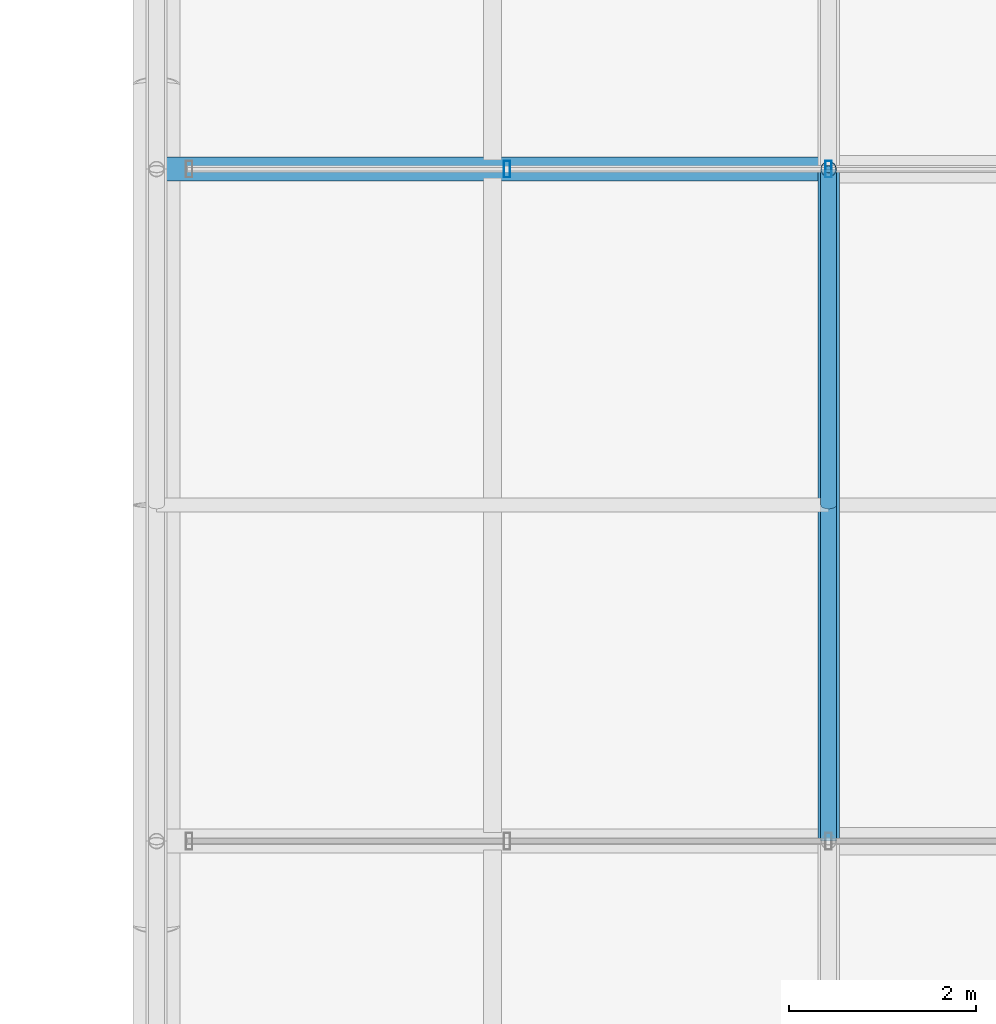
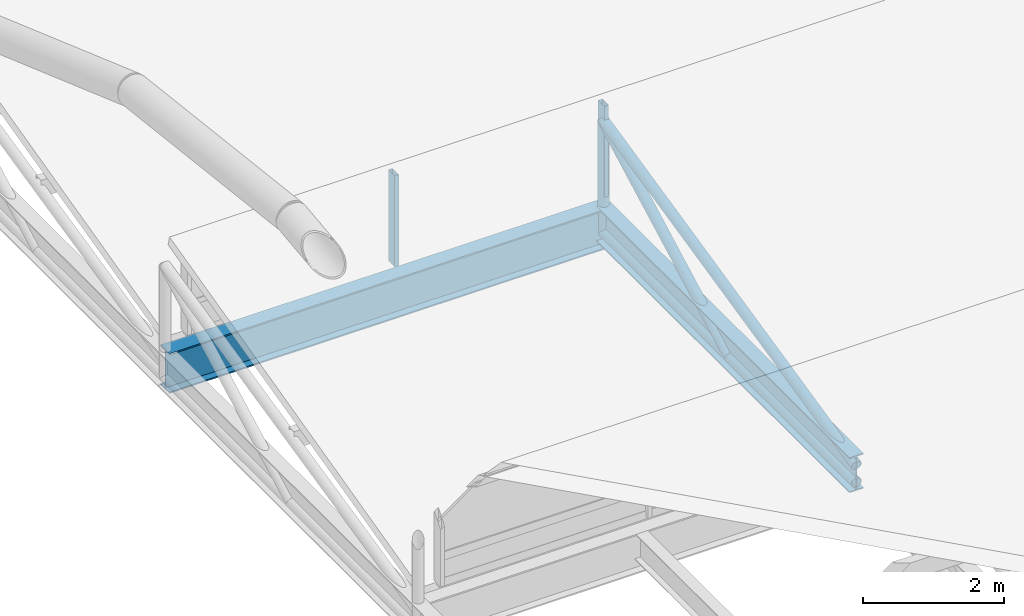
# One storey, part 69 of 144: 6 members, 2 beams, 1 element without a shape of its own.
"""IFC4 building model written with IfcOpenShell, lengths in metres."""

import ifcopenshell
import ifcopenshell.guid

model = None  # the IFC model being written
_history = None  # IfcOwnerHistory: only IFC2X3 demands one
_inside = {}  # id of a spatial element -> (the spatial element, [elements in it])
_under = {}  # id of a project, library or spatial element -> (it, [spatial elements below it])
_declared = {}  # id of a project -> (the project, [libraries it declares])
_typed = {}  # id of a type object -> (the type object, [elements of that type])
_made_of = {}  # id of a material, layer set ... -> (it, [elements and type objects made of it])


def new_model(schema):
    """Start an empty IFC model of exactly this schema.

    Asked for "IFC4X3", IfcOpenShell would pick the latest addendum, in which some entities
    have other attributes; the version numbers below select the first issue.
    IFC2X3 requires an IfcOwnerHistory on every rooted entity: one is made here for all.
    """
    global model, _history
    if schema == "IFC4X3":
        model = ifcopenshell.file(schema_version=(4, 3, 0, 0))
    else:
        model = ifcopenshell.file(schema=schema)
    _inside.clear()
    _under.clear()
    _declared.clear()
    _typed.clear()
    _made_of.clear()
    _history = None
    if model.schema == "IFC2X3":
        org = make("IfcOrganization", Name="unknown")
        user = make(
            "IfcPersonAndOrganization",
            ThePerson=make("IfcPerson", FamilyName="unknown"),
            TheOrganization=org,
        )
        app = make(
            "IfcApplication",
            ApplicationDeveloper=org,
            Version="unknown",
            ApplicationFullName="unknown",
            ApplicationIdentifier="unknown",
        )
        _history = make(
            "IfcOwnerHistory",
            OwningUser=user,
            OwningApplication=app,
            ChangeAction="ADDED",
            CreationDate=0,
        )
    return model


def make(cls, **values):
    """One entity of the class cls with the attributes given. An attribute that is None is left unset."""
    return model.create_entity(
        cls, **{name: value for name, value in values.items() if value is not None}
    )


def rooted(cls, **values):
    """An entity with a GlobalId (a new one), such as an element, a storey or a relation."""
    return make(cls, GlobalId=ifcopenshell.guid.new(), OwnerHistory=_history, **values)


def si_unit(unit_type, name, prefix=None):
    """IfcSIUnit, for example si_unit("LENGTHUNIT", "METRE", prefix="MILLI")."""
    return make("IfcSIUnit", UnitType=unit_type, Prefix=prefix, Name=name)


def assignment(units):
    """IfcUnitAssignment: the units of a project."""
    return None if units is None else make("IfcUnitAssignment", Units=units)


def point(xyz):
    """IfcCartesianPoint."""
    return None if xyz is None else make("IfcCartesianPoint", Coordinates=xyz)


def direction(xyz):
    """IfcDirection."""
    return None if xyz is None else make("IfcDirection", DirectionRatios=xyz)


def frame(location, z_axis=None, x_axis=None):
    """IfcAxis2Placement3D, a coordinate frame: its origin and axes. An axis left out is left unset."""
    return make(
        "IfcAxis2Placement3D",
        Location=point(location),
        Axis=direction(z_axis),
        RefDirection=direction(x_axis),
    )


def frame_2d(location, x_axis=None):
    """IfcAxis2Placement2D, a coordinate frame in the plane: its origin and x axis."""
    return make(
        "IfcAxis2Placement2D", Location=point(location), RefDirection=direction(x_axis)
    )


def origin():
    """The frame at (0, 0, 0) with its axes left unset."""
    return frame((0.0, 0.0, 0.0))


def origin_2d():
    """The frame at (0, 0) in the plane with its x axis left unset."""
    return frame_2d((0.0, 0.0))


def place(relative_to, where):
    """IfcLocalPlacement: puts the frame where relative to a parent placement (None: the world)."""
    return make(
        "IfcLocalPlacement", PlacementRelTo=relative_to, RelativePlacement=where
    )


def context(
    kind, dimensions, precision=None, world=None, true_north=None, identifier=None
):
    """IfcGeometricRepresentationContext, for example the 3D "Model" context."""
    return make(
        "IfcGeometricRepresentationContext",
        ContextIdentifier=identifier,
        ContextType=kind,
        CoordinateSpaceDimension=dimensions,
        Precision=precision,
        WorldCoordinateSystem=world,
        TrueNorth=true_north,
    )


def subcontext(parent, identifier, kind, view, scale=None):
    """IfcGeometricRepresentationSubContext, for example "Body" below "Model"."""
    return make(
        "IfcGeometricRepresentationSubContext",
        ContextIdentifier=identifier,
        ContextType=kind,
        ParentContext=parent,
        TargetScale=scale,
        TargetView=view,
    )


def project(units=None, contexts=None):
    """IfcProject with its units and contexts."""
    return rooted(
        "IfcProject",
        Name="project",
        RepresentationContexts=contexts,
        UnitsInContext=assignment(units),
    )


def spatial(cls, under=None, at=None, **own):
    """A site, building, storey or space (cls), placed at a placement, below another one or the project."""
    s = rooted(cls, ObjectPlacement=at, **own)
    if under is not None:
        _under.setdefault(under.id(), (under, []))[1].append(s)
    return s


def profile(cls, at=None, kind="AREA", **sizes):
    """A parametric profile (cls). Its sizes go by their IFC names, for example OverallWidth=200.0."""
    return make(cls, ProfileType=kind, Position=at, **sizes)


def hollow_rectangle(**sizes):
    """IfcRectangleHollowProfileDef."""
    return profile("IfcRectangleHollowProfileDef", **sizes)


def hollow_circle(**sizes):
    """IfcCircleHollowProfileDef."""
    return profile("IfcCircleHollowProfileDef", **sizes)


def i_section(**sizes):
    """IfcIShapeProfileDef."""
    return profile("IfcIShapeProfileDef", **sizes)


def extrude(swept, where, along, depth):
    """IfcExtrudedAreaSolid: the profile swept, set in the frame where, extruded along a direction by depth."""
    return make(
        "IfcExtrudedAreaSolid",
        SweptArea=swept,
        Position=where,
        ExtrudedDirection=direction(along),
        Depth=depth,
    )


def shape(context_of_items, identifier, shape_type, items):
    """IfcShapeRepresentation: the items that make up one representation, for example the "Body"."""
    return make(
        "IfcShapeRepresentation",
        ContextOfItems=context_of_items,
        RepresentationIdentifier=identifier,
        RepresentationType=shape_type,
        Items=items,
    )


def material(Name=None, Category=None):
    """IfcMaterial."""
    return make("IfcMaterial", Name=Name, Category=Category)


def material_profile(
    of_material, cross_section, Name=None, Category=None, Priority=None
):
    """IfcMaterialProfile: a cross section and its material."""
    return make(
        "IfcMaterialProfile",
        Name=Name,
        Material=of_material,
        Profile=cross_section,
        Priority=Priority,
        Category=Category,
    )


def profile_set(profiles, Name=None, composite=None):
    """IfcMaterialProfileSet."""
    return make(
        "IfcMaterialProfileSet",
        Name=Name,
        MaterialProfiles=profiles,
        CompositeProfile=composite,
    )


def made_of(thing, what):
    """Note that an element or type object is made of a material, layer set ...; save() writes the relation."""
    if what is not None:
        _made_of.setdefault(what.id(), (what, []))[1].append(thing)
    return thing


def type_object(cls, material=None, **own):
    """A type object (cls), such as IfcWallType, which elements share."""
    return made_of(rooted(cls, **own), material)


def element(
    cls,
    number,
    at=None,
    inside=None,
    cuts=None,
    type_object=None,
    material=None,
    context=None,
    identifier="Body",
    shape_type=None,
    held_by="IfcProductDefinitionShape",
    body=None,
    shapes=None,
    **own,
):
    """One element of the class cls, such as IfcWall. Its Tag is "e" and its number.

    at: its placement. inside: the storey or other place that contains it. cuts: it is an
    opening in that element (IfcRelVoidsElement). A single representation is given by context,
    identifier, shape_type and body (its items); several are given by shapes. held_by: the class
    of the entity that holds the representations. save() writes the other relations.
    """
    e = rooted(cls, Tag="e%d" % number, ObjectPlacement=at, **own)
    if body is not None:
        shapes = [shape(context, identifier, shape_type, body)]
    if shapes is not None:
        e.Representation = make(held_by, Representations=shapes)
    if inside is not None:
        _inside.setdefault(inside.id(), (inside, []))[1].append(e)
    if cuts is not None:
        rooted(
            "IfcRelVoidsElement", RelatingBuildingElement=cuts, RelatedOpeningElement=e
        )
    if type_object is not None:
        _typed.setdefault(type_object.id(), (type_object, []))[1].append(e)
    return made_of(e, material)


def aggregate(whole, parts):
    """IfcRelAggregates: a whole, such as a stair, and the parts it consists of."""
    return rooted("IfcRelAggregates", RelatingObject=whole, RelatedObjects=parts)


def save(model, path):
    """Write the relations noted so far, then the file.

    IfcRelAggregates (storeys below a building ...), IfcRelContainedInSpatialStructure (elements
    in a storey), IfcRelDefinesByType, IfcRelAssociatesMaterial and IfcRelDeclares: one each for
    every whole, place, type object, material and project.
    """
    for whole, parts in _under.values():
        aggregate(whole, parts)
    for where, things in _inside.values():
        rooted(
            "IfcRelContainedInSpatialStructure",
            RelatedElements=things,
            RelatingStructure=where,
        )
    for kind, things in _typed.values():
        rooted("IfcRelDefinesByType", RelatedObjects=things, RelatingType=kind)
    for what, things in _made_of.values():
        rooted("IfcRelAssociatesMaterial", RelatedObjects=things, RelatingMaterial=what)
    for by, libraries in _declared.values():
        rooted("IfcRelDeclares", RelatingContext=by, RelatedDefinitions=libraries)
    model.write(path)


model = new_model("IFC4")

# Units and contexts
model_context = context("Model", 3, precision=1e-05, world=origin(), true_north=direction((0.0, 1.0)))
body_context = subcontext(model_context, "Body", "Model", "MODEL_VIEW")
ifc_project = project(units=[si_unit("LENGTHUNIT", "METRE"), si_unit("AREAUNIT", "SQUARE_METRE"), si_unit("VOLUMEUNIT", "CUBIC_METRE"), si_unit("PLANEANGLEUNIT", "RADIAN"), si_unit("MASSUNIT", "GRAM", prefix="KILO")], contexts=[model_context])

# Site, building, storey
site_placement = place(None, origin())
site = spatial("IfcSite", under=ifc_project, at=site_placement, CompositionType="ELEMENT")
building_placement = place(site_placement, origin())
building = spatial("IfcBuilding", under=site, at=building_placement, Name="Yarey Park Central Fire Station", CompositionType="ELEMENT")
storey_placement = place(building_placement, frame((0.0, 0.0, 10.199951171875)))
storey = spatial("IfcBuildingStorey", under=building, at=storey_placement, Name="L03", CompositionType="ELEMENT", Elevation=10.199951171875)

# Curtain wall, members
ifc_material_1 = material(Name="Anodized Aluminium Frame", Category="aluminium")
curtain_wall_type = type_object("IfcCurtainWallType", Name="ENV_CW_SAW_18", PredefinedType="NOTDEFINED", material=ifc_material_1)
curtain_wall_placement = place(storey_placement, origin())
curtain_wall = element("IfcCurtainWall", 1, at=curtain_wall_placement, inside=storey, type_object=curtain_wall_type, Name="CW_L03_SAW_5_1", PredefinedType="NOTDEFINED")
ifc_material_profile_1 = material_profile(ifc_material_1, hollow_rectangle(XDim=0.070068359375, YDim=0.179931640625, WallThickness=0.00390625, at=origin_2d()), Name="ALU 180x70x4")
ifc_profile_set_1 = profile_set([ifc_material_profile_1], Name="Anodized Aluminium Frame")
member_type_1 = type_object("IfcMemberType", Name="ENV_CW_MULLION", PredefinedType="MULLION", material=ifc_profile_set_1)
member_1_placement = place(storey_placement, frame((144.0, 79.199951171875, 0.0), z_axis=(0.0, 0.0, 1.0), x_axis=(1.0, 0.0, 0.0)))
member_1 = element("IfcMember", 2, at=member_1_placement, type_object=member_type_1, Name="CW_L03_SAW_5_1_MUL3", PredefinedType="MULLION", context=body_context, shape_type="SweptSolid", body=[
    extrude(hollow_rectangle(XDim=0.070068359375, YDim=0.179931640625, WallThickness=0.00390625, at=origin_2d()), origin(), (0.0, 0.0, 1.0), 1.580078125),
])
member_2_placement = place(storey_placement, frame((140.554931640625, 79.199951171875, 0.0), z_axis=(0.0, 0.0, 1.0), x_axis=(1.0, 0.0, 0.0)))
member_2 = element("IfcMember", 3, at=member_2_placement, type_object=member_type_1, Name="CW_L03_SAW_5_1_MUL4", PredefinedType="MULLION", context=body_context, shape_type="SweptSolid", body=[
    extrude(hollow_rectangle(XDim=0.070068359375, YDim=0.179931640625, WallThickness=0.00390625, at=origin_2d()), origin(), (0.0, 0.0, 1.0), 1.580078125),
])
aggregate(curtain_wall, [member_1, member_2])

# Beams
ifc_material_2 = material(Name="Steel ASTM A992 Gr. 50", Category="steel")
ifc_material_profile_2 = material_profile(ifc_material_2, i_section(OverallWidth=0.22900390625, OverallDepth=0.612060546875, WebThickness=0.011962890625, FlangeThickness=0.01953125, at=origin_2d()), Name="W610x125")
ifc_profile_set_2 = profile_set([ifc_material_profile_2], Name="Steel ASTM A992 Gr. 50")
beam_type_1 = type_object("IfcBeamType", Name="STR_BM_W610", PredefinedType="BEAM", material=ifc_profile_set_2)
beam_1_placement = place(storey_placement, frame((144.0, 72.0, -0.48583984375), z_axis=(0.0, 1.0, 0.0), x_axis=(-1.0, 0.0, 0.0)))
element("IfcBeam", 4, at=beam_1_placement, inside=storey, type_object=beam_type_1, Name="BMY L03 X1440 Y720", PredefinedType="BEAM", context=body_context, shape_type="SweptSolid", body=[
    extrude(i_section(OverallWidth=0.22900390625, OverallDepth=0.612060546875, WebThickness=0.011962890625, FlangeThickness=0.01953125, at=origin_2d()), origin(), (0.0, 0.0, 1.0), 7.199951171875),
])
ifc_material_profile_3 = material_profile(ifc_material_2, i_section(OverallWidth=0.256103515625, OverallDepth=0.693115234375, WebThickness=0.014404296875, FlangeThickness=0.023681640625, at=origin_2d()), Name="W690x170")
ifc_profile_set_3 = profile_set([ifc_material_profile_3], Name="Steel ASTM A992 Gr. 50")
beam_type_2 = type_object("IfcBeamType", Name="STR_BM_W690", PredefinedType="BEAM", material=ifc_profile_set_3)
beam_2_placement = place(storey_placement, frame((136.800048828125, 79.199951171875, -0.5263671875), z_axis=(1.0, 0.0, 0.0), x_axis=(0.0, 1.0, 0.0)))
element("IfcBeam", 5, at=beam_2_placement, inside=storey, type_object=beam_type_2, Name="BMX L03 Y792 X1368", PredefinedType="BEAM", context=body_context, shape_type="SweptSolid", body=[
    extrude(i_section(OverallWidth=0.256103515625, OverallDepth=0.693115234375, WebThickness=0.014404296875, FlangeThickness=0.023681640625, at=origin_2d()), origin(), (0.0, 0.0, 1.0), 7.199951171875),
])

# Members
ifc_material_3 = material(Name="Steel ASTM A500 Gr. C", Category="steel")
ifc_material_profile_4 = material_profile(ifc_material_3, hollow_circle(Radius=0.084228515625, WallThickness=0.008056640625, at=origin_2d()), Name="CHS 168.3x8")
ifc_profile_set_4 = profile_set([ifc_material_profile_4], Name="Steel ASTM A500 Gr. C")
member_type_2 = type_object("IfcMemberType", Name="STR_CHORD_CHS168", PredefinedType="CHORD", material=ifc_profile_set_4)
member_3_placement = place(storey_placement, frame((144.0, 72.0, -0.64990234375), z_axis=(0.0, 1.0, 0.0), x_axis=(-1.0, 0.0, 0.0)))
element("IfcMember", 6, at=member_3_placement, inside=storey, type_object=member_type_2, Name="SAW_T2_B5_BC", PredefinedType="CHORD", context=body_context, shape_type="SweptSolid", body=[
    extrude(hollow_circle(Radius=0.084228515625, WallThickness=0.008056640625, at=origin_2d()), origin(), (0.0, 0.0, 1.0), 7.199951171875),
])
member_4_placement = place(storey_placement, frame((144.0, 72.0, -0.349853515625), z_axis=(0.0, 0.975464150349, 0.220158332533), x_axis=(-1.0, 0.0, 0.0)))
element("IfcMember", 7, at=member_4_placement, inside=storey, type_object=member_type_2, Name="SAW_T2_B5_TC", PredefinedType="CHORD", context=body_context, shape_type="SweptSolid", body=[
    extrude(hollow_circle(Radius=0.084228515625, WallThickness=0.008056640625, at=origin_2d()), origin(), (0.0, 0.0, 1.0), 7.381103515625),
])
ifc_material_profile_5 = material_profile(ifc_material_3, hollow_circle(Radius=0.084228515625, WallThickness=0.008056640625, at=origin_2d()), Name="CHS 168.3x8")
ifc_profile_set_5 = profile_set([ifc_material_profile_5], Name="Steel ASTM A500 Gr. C")
member_type_3 = type_object("IfcMemberType", Name="STR_WEB_CHS168", PredefinedType="BRACE", material=ifc_profile_set_5)
member_5_placement = place(storey_placement, frame((144.0, 79.199951171875, -0.64990234375), z_axis=(0.0, 0.0, 1.0), x_axis=(1.0, 0.0, 0.0)))
element("IfcMember", 8, at=member_5_placement, inside=storey, type_object=member_type_3, Name="SAW_T2_B5_VT", PredefinedType="BRACE", context=body_context, shape_type="SweptSolid", body=[
    extrude(hollow_circle(Radius=0.084228515625, WallThickness=0.008056640625, at=origin_2d()), origin(), (0.0, 0.0, 1.0), 1.925048828125),
])
member_6_placement = place(storey_placement, frame((144.0, 75.60009765625, -0.64990234375), z_axis=(0.0, 0.8818309127, 0.471565733919), x_axis=(-1.0, 0.0, 0.0)))
element("IfcMember", 9, at=member_6_placement, inside=storey, type_object=member_type_3, Name="SAW_T2_B5_DG", PredefinedType="BRACE", context=body_context, shape_type="SweptSolid", body=[
    extrude(hollow_circle(Radius=0.084228515625, WallThickness=0.008056640625, at=origin_2d()), origin(), (0.0, 0.0, 1.0), 4.082275390625),
])

save(model, "model.ifc")
